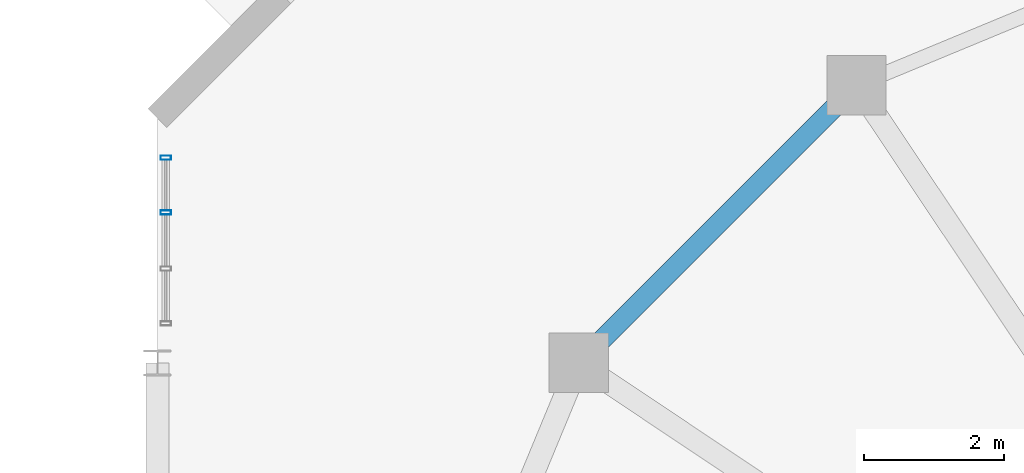
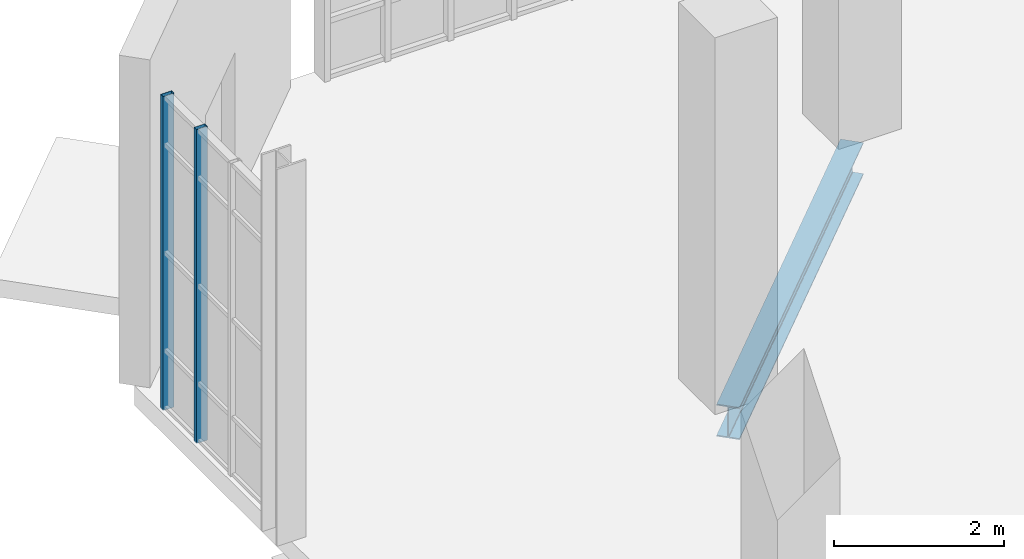
# One storey, part 81 of 189: 2 members, 1 beam, 1 element without a shape of its own.
"""IFC4 building model written with IfcOpenShell, lengths in metres."""

from ifc_helpers import new_model, si_unit, direction, frame, origin, origin_2d, place, context, subcontext, project, spatial, hollow_rectangle, i_section, extrude, material, layer, layer_set, material_profile, profile_set, type_object, element, aggregate, save


model = new_model("IFC4")

# Units and contexts
model_context = context("Model", 3, precision=1e-05, world=origin(), true_north=direction((0.0, 1.0)))
body_context = subcontext(model_context, "Body", "Model", "MODEL_VIEW")
ifc_project = project(units=[si_unit("LENGTHUNIT", "METRE"), si_unit("AREAUNIT", "SQUARE_METRE"), si_unit("VOLUMEUNIT", "CUBIC_METRE"), si_unit("PLANEANGLEUNIT", "RADIAN"), si_unit("MASSUNIT", "GRAM", prefix="KILO"), si_unit("THERMODYNAMICTEMPERATUREUNIT", "KELVIN"), si_unit("POWERUNIT", "WATT")], contexts=[model_context])

# Site, building, storey
site_placement = place(None, origin())
site = spatial("IfcSite", under=ifc_project, at=site_placement, CompositionType="ELEMENT")
building_placement = place(site_placement, origin())
building = spatial("IfcBuilding", under=site, at=building_placement, Name="Zelmaris Science Centre", CompositionType="ELEMENT")
storey_placement = place(building_placement, origin())
storey = spatial("IfcBuildingStorey", under=building, at=storey_placement, Name="L00", CompositionType="ELEMENT", Elevation=0.0)

# Curtain wall, members
ifc_material_1 = material(Name="Anodised architectural aluminium 6063-T6", Category="aluminium")
ifc_layer = layer(ifc_material_1, 0.219970703125, Name="Anodised architectural aluminium 6063-T6")
ifc_layer_set = layer_set([ifc_layer], Name="Anodised architectural aluminium 6063-T6")
curtain_wall_type = type_object("IfcCurtainWallType", Name="Curtain Wall CW-04", PredefinedType="USERDEFINED", material=ifc_layer_set)
curtain_wall_placement = place(storey_placement, origin())
curtain_wall = element("IfcCurtainWall", 1, at=curtain_wall_placement, inside=storey, type_object=curtain_wall_type, Name="L00 Unitised curtain wall 16", ObjectType="GLAZED CURTAIN WALL", PredefinedType="USERDEFINED")
ifc_material_profile_1 = material_profile(ifc_material_1, hollow_rectangle(XDim=0.06005859375, YDim=0.14990234375, WallThickness=0.00341796875, at=origin_2d()), Name="ALU-MUL-60X150")
ifc_profile_set_1 = profile_set([ifc_material_profile_1], Name="Anodised architectural aluminium 6063-T6")
member_type = type_object("IfcMemberType", Name="ALU-MUL-60X150", PredefinedType="MULLION", material=ifc_profile_set_1)
member_1_placement = place(storey_placement, frame((9.1201171875, 82.1533203125, -0.014892578125), z_axis=(0.0, 0.0, 1.0), x_axis=(0.0, 1.0, 0.0)))
member_1 = element("IfcMember", 2, at=member_1_placement, type_object=member_type, Name="CW-04 mullion 3", PredefinedType="MULLION", context=body_context, shape_type="SweptSolid", body=[
    extrude(hollow_rectangle(XDim=0.06005859375, YDim=0.14990234375, WallThickness=0.00341796875, at=origin_2d()), origin(), (0.0, 0.0, 1.0), 4.497802734375),
])
member_2_placement = place(storey_placement, frame((9.1201171875, 82.93408203125, -0.014892578125), z_axis=(0.0, 0.0, 1.0), x_axis=(0.0, 1.0, 0.0)))
member_2 = element("IfcMember", 3, at=member_2_placement, type_object=member_type, Name="CW-04 mullion 4", PredefinedType="MULLION", context=body_context, shape_type="SweptSolid", body=[
    extrude(hollow_rectangle(XDim=0.06005859375, YDim=0.14990234375, WallThickness=0.00341796875, at=origin_2d()), origin(), (0.0, 0.0, 1.0), 4.497802734375),
])
aggregate(curtain_wall, [member_1, member_2])

# Beam
ifc_material_2 = material(Name="Steel ASTM A992 Grade 50", Category="steel")
ifc_material_profile_2 = material_profile(ifc_material_2, i_section(OverallWidth=0.279052734375, OverallDepth=0.4619140625, WebThickness=0.0107421875, FlangeThickness=0.017333984375, FilletRadius=0.012939453125, at=origin_2d()), Name="W18X76")
ifc_profile_set_2 = profile_set([ifc_material_profile_2], Name="Steel ASTM A992 Grade 50")
beam_type = type_object("IfcBeamType", Name="Beam SP-03 W18X76", PredefinedType="SPANDREL", material=ifc_profile_set_2)
beam_placement = place(storey_placement, frame((18.999755859375, 83.97314453125, -0.510986328125), z_axis=(-0.707106781187, -0.707106781187, 0.0), x_axis=(0.707106781187, -0.707106781187, 0.0)))
element("IfcBeam", 4, at=beam_placement, inside=storey, type_object=beam_type, Name="L00 Planetarium drum ring beam 6", PredefinedType="SPANDREL", context=body_context, shape_type="SweptSolid", body=[
    extrude(i_section(OverallWidth=0.279052734375, OverallDepth=0.4619140625, WebThickness=0.0107421875, FlangeThickness=0.017333984375, FilletRadius=0.012939453125, at=origin_2d()), origin(), (0.0, 0.0, 1.0), 5.618408203125),
])

save(model, "model.ifc")
